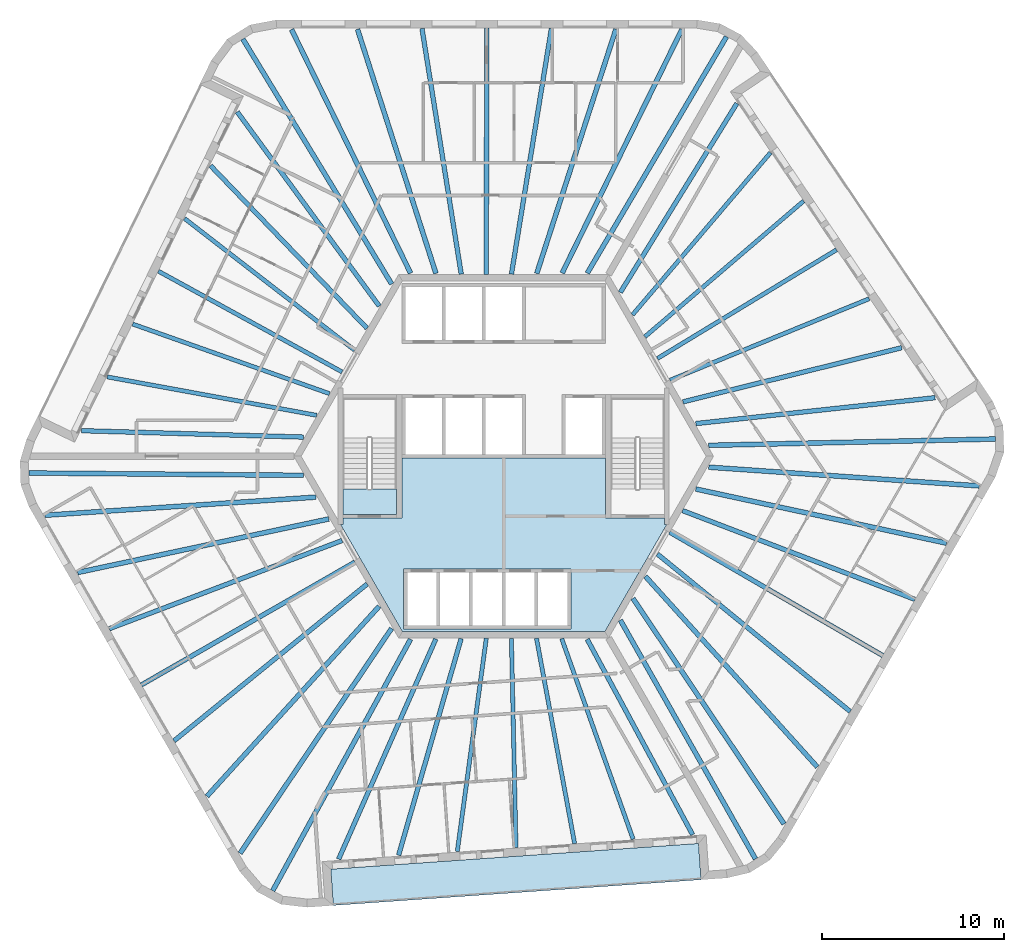
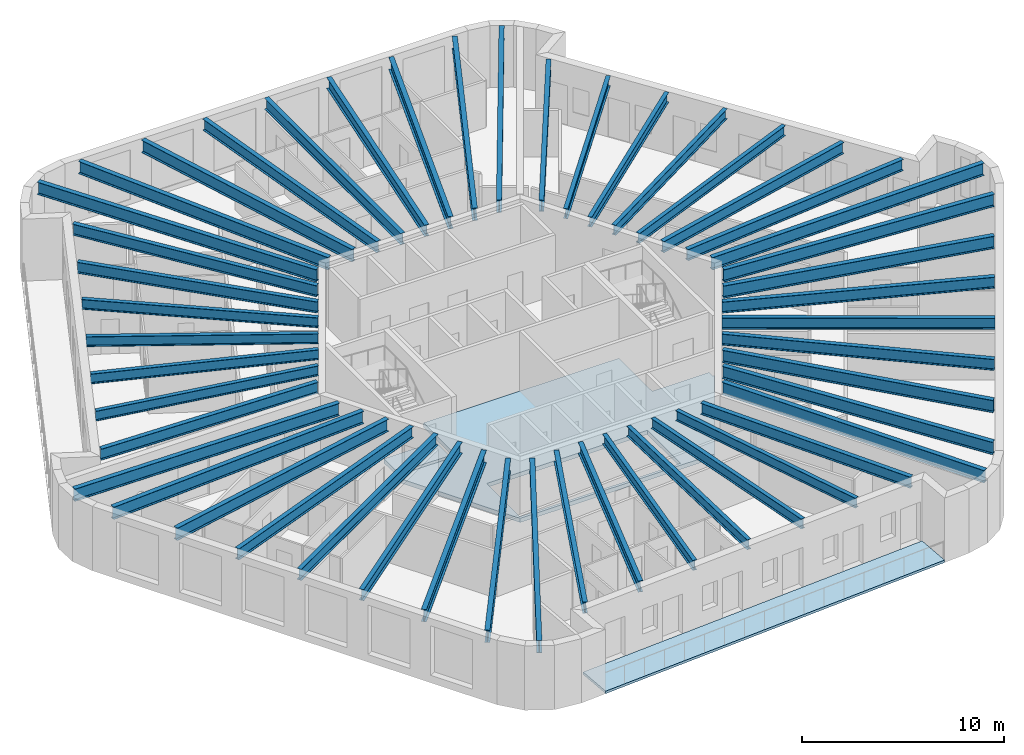
# One storey, part 1 of 11: 48 beams, 3 slabs.
"""IFC4 building model written with IfcOpenShell, lengths in metres."""

from ifc_helpers import new_model, si_unit, direction, frame, origin, origin_2d, place, context, subcontext, project, spatial, polyline, i_section, outline, extrude, material, layer, layer_set, material_profile, profile_set, type_object, element, save


model = new_model("IFC4")

# Units and contexts
model_context = context("Model", 3, precision=1e-05, world=origin(), true_north=direction((0.0, 1.0)))
body_context = subcontext(model_context, "Body", "Model", "MODEL_VIEW")
ifc_project = project(units=[si_unit("LENGTHUNIT", "METRE"), si_unit("AREAUNIT", "SQUARE_METRE"), si_unit("VOLUMEUNIT", "CUBIC_METRE"), si_unit("PLANEANGLEUNIT", "RADIAN"), si_unit("MASSUNIT", "GRAM", prefix="KILO")], contexts=[model_context])

# Site, building, storey
site_placement = place(None, origin())
site = spatial("IfcSite", under=ifc_project, at=site_placement, CompositionType="ELEMENT")
building_placement = place(site_placement, origin())
building = spatial("IfcBuilding", under=site, at=building_placement, Name="Tarnside Tower", CompositionType="ELEMENT")
storey_placement = place(building_placement, frame((0.0, 0.0, 365.10009765625)))
storey = spatial("IfcBuildingStorey", under=building, at=storey_placement, Name="L88", CompositionType="ELEMENT", Elevation=365.10009765625)

# Beams
ifc_material_1 = material(Name="Steel S355", Category="steel")
ifc_material_profile_1 = material_profile(ifc_material_1, i_section(OverallWidth=0.228271484375, OverallDepth=0.607666015625, WebThickness=0.010986328125, FlangeThickness=0.017333984375, FilletRadius=0.0126953125, at=origin_2d()), Name="UB 610x229x113")
ifc_profile_set_1 = profile_set([ifc_material_profile_1], Name="Steel S355")
beam_type_1 = type_object("IfcBeamType", Name="Floor beam UB 610x229x113", PredefinedType="BEAM", material=ifc_profile_set_1)
beam_1_placement = place(storey_placement, frame((-17.5537109375, 13.079345703125, 3.446044921875), z_axis=(0.790645071634, -0.612274750991, 0.0), x_axis=(0.612274750991, 0.790645071634, 0.0)))
element("IfcBeam", 1, at=beam_1_placement, inside=storey, type_object=beam_type_1, Name="Floor beam F2.03", PredefinedType="BEAM", context=body_context, shape_type="SweptSolid", body=[
    extrude(i_section(OverallWidth=0.228271484375, OverallDepth=0.607666015625, WebThickness=0.010986328125, FlangeThickness=0.017333984375, FilletRadius=0.0126953125, at=origin_2d()), origin(), (0.0, 0.0, 1.0), 11.829833984375),
])
beam_2_placement = place(storey_placement, frame((-18.98974609375, 10.1787109375, 3.446044921875), z_axis=(0.876798859106, -0.480857318412, 0.0), x_axis=(0.480857318412, 0.876798859106, 0.0)))
element("IfcBeam", 2, at=beam_2_placement, inside=storey, type_object=beam_type_1, Name="Floor beam F2.04", PredefinedType="BEAM", context=body_context, shape_type="SweptSolid", body=[
    extrude(i_section(OverallWidth=0.228271484375, OverallDepth=0.607666015625, WebThickness=0.010986328125, FlangeThickness=0.017333984375, FilletRadius=0.0126953125, at=origin_2d()), origin(), (0.0, 0.0, 1.0), 11.517578125),
])
beam_3_placement = place(storey_placement, frame((-20.408203125, 7.27099609375, 3.446044921875), z_axis=(0.942835979757, -0.33325713087, 0.0), x_axis=(0.33325713087, 0.942835979757, 0.0)))
element("IfcBeam", 3, at=beam_3_placement, inside=storey, type_object=beam_type_1, Name="Floor beam F2.05", PredefinedType="BEAM", context=body_context, shape_type="SweptSolid", body=[
    extrude(i_section(OverallWidth=0.228271484375, OverallDepth=0.607666015625, WebThickness=0.010986328125, FlangeThickness=0.017333984375, FilletRadius=0.0126953125, at=origin_2d()), origin(), (0.0, 0.0, 1.0), 11.4833984375),
])
beam_4_placement = place(storey_placement, frame((-21.80517578125, 4.3642578125, 3.446044921875), z_axis=(0.983583368825, -0.180454306048, 0.0), x_axis=(0.180454306048, 0.983583368825, 0.0)))
element("IfcBeam", 4, at=beam_4_placement, inside=storey, type_object=beam_type_1, Name="Floor beam F2.06", PredefinedType="BEAM", context=body_context, shape_type="SweptSolid", body=[
    extrude(i_section(OverallWidth=0.228271484375, OverallDepth=0.607666015625, WebThickness=0.010986328125, FlangeThickness=0.017333984375, FilletRadius=0.0126953125, at=origin_2d()), origin(), (0.0, 0.0, 1.0), 11.706787109375),
])
beam_5_placement = place(storey_placement, frame((-2.550048828125, -21.74169921875, 3.446044921875), z_axis=(0.134905991625, 0.990858402308, 0.0), x_axis=(-0.990858402308, 0.134905991625, 0.0)))
element("IfcBeam", 5, at=beam_5_placement, inside=storey, type_object=beam_type_1, Name="Floor beam F4.03", PredefinedType="BEAM", context=body_context, shape_type="SweptSolid", body=[
    extrude(i_section(OverallWidth=0.228271484375, OverallDepth=0.607666015625, WebThickness=0.010986328125, FlangeThickness=0.017333984375, FilletRadius=0.0126953125, at=origin_2d()), origin(), (0.0, 0.0, 1.0), 11.830078125),
])
beam_6_placement = place(storey_placement, frame((0.6796875, -21.53515625, 3.446044921875), z_axis=(-0.021959678074, 0.999758857195, 0.0), x_axis=(-0.999758857195, -0.021959678074, 0.0)))
element("IfcBeam", 6, at=beam_6_placement, inside=storey, type_object=beam_type_1, Name="Floor beam F4.04", PredefinedType="BEAM", context=body_context, shape_type="SweptSolid", body=[
    extrude(i_section(OverallWidth=0.228271484375, OverallDepth=0.607666015625, WebThickness=0.010986328125, FlangeThickness=0.017333984375, FilletRadius=0.0126953125, at=origin_2d()), origin(), (0.0, 0.0, 1.0), 11.517822265625),
])
beam_7_placement = place(storey_placement, frame((3.9072265625, -21.3095703125, 3.446044921875), z_axis=(-0.182818550439, 0.983146671466, 0.0), x_axis=(-0.983146671466, -0.182818550439, 0.0)))
element("IfcBeam", 7, at=beam_7_placement, inside=storey, type_object=beam_type_1, Name="Floor beam F4.05", PredefinedType="BEAM", context=body_context, shape_type="SweptSolid", body=[
    extrude(i_section(OverallWidth=0.228271484375, OverallDepth=0.607666015625, WebThickness=0.010986328125, FlangeThickness=0.017333984375, FilletRadius=0.0126953125, at=origin_2d()), origin(), (0.0, 0.0, 1.0), 11.4833984375),
])
beam_8_placement = place(storey_placement, frame((7.123046875, -21.06591796875, 3.446044921875), z_axis=(-0.335506617396, 0.94203784939, 0.0), x_axis=(-0.94203784939, -0.335506617396, 0.0)))
element("IfcBeam", 8, at=beam_8_placement, inside=storey, type_object=beam_type_1, Name="Floor beam F4.06", PredefinedType="BEAM", context=body_context, shape_type="SweptSolid", body=[
    extrude(i_section(OverallWidth=0.228271484375, OverallDepth=0.607666015625, WebThickness=0.010986328125, FlangeThickness=0.017333984375, FilletRadius=0.0126953125, at=origin_2d()), origin(), (0.0, 0.0, 1.0), 11.706787109375),
])
beam_9_placement = place(storey_placement, frame((20.10400390625, 8.662353515625, 3.446044921875), z_axis=(-0.925563720848, -0.378591862895, 0.0), x_axis=(0.378591862895, -0.925563720848, 0.0)))
element("IfcBeam", 9, at=beam_9_placement, inside=storey, type_object=beam_type_1, Name="Floor beam F6.03", PredefinedType="BEAM", context=body_context, shape_type="SweptSolid", body=[
    extrude(i_section(OverallWidth=0.228271484375, OverallDepth=0.607666015625, WebThickness=0.010986328125, FlangeThickness=0.017333984375, FilletRadius=0.0126953125, at=origin_2d()), origin(), (0.0, 0.0, 1.0), 11.830078125),
])
beam_10_placement = place(storey_placement, frame((18.31005859375, 11.356201171875, 3.446044921875), z_axis=(-0.854838892612, -0.518893503214, 0.0), x_axis=(0.518893503214, -0.854838892612, 0.0)))
element("IfcBeam", 10, at=beam_10_placement, inside=storey, type_object=beam_type_1, Name="Floor beam F6.04", PredefinedType="BEAM", context=body_context, shape_type="SweptSolid", body=[
    extrude(i_section(OverallWidth=0.228271484375, OverallDepth=0.607666015625, WebThickness=0.010986328125, FlangeThickness=0.017333984375, FilletRadius=0.0126953125, at=origin_2d()), origin(), (0.0, 0.0, 1.0), 11.517822265625),
])
beam_11_placement = place(storey_placement, frame((16.5009765625, 14.03857421875, 3.446044921875), z_axis=(-0.760013955451, -0.649906752942, 0.0), x_axis=(0.649906752942, -0.760013955451, 0.0)))
element("IfcBeam", 11, at=beam_11_placement, inside=storey, type_object=beam_type_1, Name="Floor beam F6.05", PredefinedType="BEAM", context=body_context, shape_type="SweptSolid", body=[
    extrude(i_section(OverallWidth=0.228271484375, OverallDepth=0.607666015625, WebThickness=0.010986328125, FlangeThickness=0.017333984375, FilletRadius=0.0126953125, at=origin_2d()), origin(), (0.0, 0.0, 1.0), 11.4833984375),
])
beam_12_placement = place(storey_placement, frame((14.68212890625, 16.70166015625, 3.446044921875), z_axis=(-0.648070250912, -0.761580560337, 0.0), x_axis=(0.761580560337, -0.648070250912, 0.0)))
element("IfcBeam", 12, at=beam_12_placement, inside=storey, type_object=beam_type_1, Name="Floor beam F6.06", PredefinedType="BEAM", context=body_context, shape_type="SweptSolid", body=[
    extrude(i_section(OverallWidth=0.228271484375, OverallDepth=0.607666015625, WebThickness=0.010986328125, FlangeThickness=0.017333984375, FilletRadius=0.0126953125, at=origin_2d()), origin(), (0.0, 0.0, 1.0), 11.70703125),
])
ifc_material_profile_2 = material_profile(ifc_material_1, i_section(OverallWidth=0.2529296875, OverallDepth=0.677978515625, WebThickness=0.01171875, FlangeThickness=0.01611328125, FilletRadius=0.01513671875, at=origin_2d()), Name="UB 686x254x125")
ifc_profile_set_2 = profile_set([ifc_material_profile_2], Name="Steel S355")
beam_type_2 = type_object("IfcBeamType", Name="Floor beam UB 686x254x125", PredefinedType="BEAM", material=ifc_profile_set_2)
beam_13_placement = place(storey_placement, frame((2.628662109375, 23.5302734375, 3.410888671875), z_axis=(-0.160646508519, -0.987012005652, 0.0), x_axis=(0.987012005652, -0.160646508519, 0.0)))
element("IfcBeam", 13, at=beam_13_placement, inside=storey, type_object=beam_type_2, Name="Floor beam F1.03", PredefinedType="BEAM", context=body_context, shape_type="SweptSolid", body=[
    extrude(i_section(OverallWidth=0.2529296875, OverallDepth=0.677978515625, WebThickness=0.01171875, FlangeThickness=0.01611328125, FilletRadius=0.01513671875, at=origin_2d()), origin(), (0.0, 0.0, 1.0), 13.688232421875),
])
beam_14_placement = place(storey_placement, frame((-0.931884765625, 23.550048828125, 3.410888671875), z_axis=(-0.001441413973, -0.999998961162, 0.0), x_axis=(0.999998961162, -0.001441413973, 0.0)))
element("IfcBeam", 14, at=beam_14_placement, inside=storey, type_object=beam_type_2, Name="Floor beam F1.04", PredefinedType="BEAM", context=body_context, shape_type="SweptSolid", body=[
    extrude(i_section(OverallWidth=0.2529296875, OverallDepth=0.677978515625, WebThickness=0.01171875, FlangeThickness=0.01611328125, FilletRadius=0.01513671875, at=origin_2d()), origin(), (0.0, 0.0, 1.0), 13.550048828125),
])
beam_15_placement = place(storey_placement, frame((-4.492431640625, 23.5302734375, 3.410888671875), z_axis=(0.157881934136, -0.987457996511, 0.0), x_axis=(0.987457996511, 0.157881934136, 0.0)))
element("IfcBeam", 15, at=beam_15_placement, inside=storey, type_object=beam_type_2, Name="Floor beam F1.05", PredefinedType="BEAM", context=body_context, shape_type="SweptSolid", body=[
    extrude(i_section(OverallWidth=0.2529296875, OverallDepth=0.677978515625, WebThickness=0.01171875, FlangeThickness=0.01611328125, FilletRadius=0.01513671875, at=origin_2d()), origin(), (0.0, 0.0, 1.0), 13.68212890625),
])
beam_16_placement = place(storey_placement, frame((-14.657470703125, 18.94580078125, 3.410888671875), z_axis=(0.590284711171, -0.807195118765, 0.0), x_axis=(0.807195118765, 0.590284711171, 0.0)))
element("IfcBeam", 16, at=beam_16_placement, inside=storey, type_object=beam_type_2, Name="Floor beam F2.01", PredefinedType="BEAM", context=body_context, shape_type="SweptSolid", body=[
    extrude(i_section(OverallWidth=0.2529296875, OverallDepth=0.677978515625, WebThickness=0.01171875, FlangeThickness=0.01611328125, FilletRadius=0.01513671875, at=origin_2d()), origin(), (0.0, 0.0, 1.0), 13.23974609375),
])
beam_17_placement = place(storey_placement, frame((-16.119873046875, 15.980224609375, 3.410888671875), z_axis=(0.693349119992, -0.720601830283, 0.0), x_axis=(0.720601830283, 0.693349119992, 0.0)))
element("IfcBeam", 17, at=beam_17_placement, inside=storey, type_object=beam_type_2, Name="Floor beam F2.02", PredefinedType="BEAM", context=body_context, shape_type="SweptSolid", body=[
    extrude(i_section(OverallWidth=0.2529296875, OverallDepth=0.677978515625, WebThickness=0.01171875, FlangeThickness=0.01611328125, FilletRadius=0.01513671875, at=origin_2d()), origin(), (0.0, 0.0, 1.0), 12.3984375),
])
beam_18_placement = place(storey_placement, frame((-23.22998046875, 1.406005859375, 3.410888671875), z_axis=(0.99958400974, -0.028841072664, 0.0), x_axis=(0.028841072664, 0.99958400974, 0.0)))
element("IfcBeam", 18, at=beam_18_placement, inside=storey, type_object=beam_type_2, Name="Floor beam F2.07", PredefinedType="BEAM", context=body_context, shape_type="SweptSolid", body=[
    extrude(i_section(OverallWidth=0.2529296875, OverallDepth=0.677978515625, WebThickness=0.01171875, FlangeThickness=0.01611328125, FilletRadius=0.01513671875, at=origin_2d()), origin(), (0.0, 0.0, 1.0), 12.215087890625),
])
beam_19_placement = place(storey_placement, frame((-21.692138671875, -9.48876953125, 3.410888671875), z_axis=(0.935097216102, 0.354391304124, 0.0), x_axis=(-0.354391304124, 0.935097216102, 0.0)))
element("IfcBeam", 19, at=beam_19_placement, inside=storey, type_object=beam_type_2, Name="Floor beam F3.03", PredefinedType="BEAM", context=body_context, shape_type="SweptSolid", body=[
    extrude(i_section(OverallWidth=0.2529296875, OverallDepth=0.677978515625, WebThickness=0.01171875, FlangeThickness=0.01611328125, FilletRadius=0.01513671875, at=origin_2d()), origin(), (0.0, 0.0, 1.0), 13.6884765625),
])
beam_20_placement = place(storey_placement, frame((-19.928955078125, -12.58203125, 3.410888671875), z_axis=(0.866745672107, 0.49875037833, 0.0), x_axis=(-0.49875037833, 0.866745672107, 0.0)))
element("IfcBeam", 20, at=beam_20_placement, inside=storey, type_object=beam_type_2, Name="Floor beam F3.04", PredefinedType="BEAM", context=body_context, shape_type="SweptSolid", body=[
    extrude(i_section(OverallWidth=0.2529296875, OverallDepth=0.677978515625, WebThickness=0.01171875, FlangeThickness=0.01611328125, FilletRadius=0.01513671875, at=origin_2d()), origin(), (0.0, 0.0, 1.0), 13.550048828125),
])
beam_21_placement = place(storey_placement, frame((-18.131591796875, -15.65576171875, 3.410888671875), z_axis=(0.77622369633, 0.630457590371, 0.0), x_axis=(-0.630457590371, 0.77622369633, 0.0)))
element("IfcBeam", 21, at=beam_21_placement, inside=storey, type_object=beam_type_2, Name="Floor beam F3.05", PredefinedType="BEAM", context=body_context, shape_type="SweptSolid", body=[
    extrude(i_section(OverallWidth=0.2529296875, OverallDepth=0.677978515625, WebThickness=0.01171875, FlangeThickness=0.01611328125, FilletRadius=0.01513671875, at=origin_2d()), origin(), (0.0, 0.0, 1.0), 13.68212890625),
])
beam_22_placement = place(storey_placement, frame((-9.078857421875, -22.16650390625, 3.410888671875), z_axis=(0.403913038749, 0.914797385834, 0.0), x_axis=(-0.914797385834, 0.403913038749, 0.0)))
element("IfcBeam", 22, at=beam_22_placement, inside=storey, type_object=beam_type_2, Name="Floor beam F4.01", PredefinedType="BEAM", context=body_context, shape_type="SweptSolid", body=[
    extrude(i_section(OverallWidth=0.2529296875, OverallDepth=0.677978515625, WebThickness=0.01171875, FlangeThickness=0.01611328125, FilletRadius=0.01513671875, at=origin_2d()), origin(), (0.0, 0.0, 1.0), 13.239501953125),
])
beam_23_placement = place(storey_placement, frame((-5.779296875, -21.9501953125, 3.410888671875), z_axis=(0.277391022539, 0.960757108022, 0.0), x_axis=(-0.960757108022, 0.277391022539, 0.0)))
element("IfcBeam", 23, at=beam_23_placement, inside=storey, type_object=beam_type_2, Name="Floor beam F4.02", PredefinedType="BEAM", context=body_context, shape_type="SweptSolid", body=[
    extrude(i_section(OverallWidth=0.2529296875, OverallDepth=0.677978515625, WebThickness=0.01171875, FlangeThickness=0.01611328125, FilletRadius=0.01513671875, at=origin_2d()), origin(), (0.0, 0.0, 1.0), 12.3984375),
])
beam_24_placement = place(storey_placement, frame((10.3974609375, -20.82080078125, 3.410888671875), z_axis=(-0.474802871876, 0.880092172933, 0.0), x_axis=(-0.880092172933, -0.474802871876, 0.0)))
element("IfcBeam", 24, at=beam_24_placement, inside=storey, type_object=beam_type_2, Name="Floor beam F4.07", PredefinedType="BEAM", context=body_context, shape_type="SweptSolid", body=[
    extrude(i_section(OverallWidth=0.2529296875, OverallDepth=0.677978515625, WebThickness=0.01171875, FlangeThickness=0.01611328125, FilletRadius=0.01513671875, at=origin_2d()), origin(), (0.0, 0.0, 1.0), 12.215087890625),
])
beam_25_placement = place(storey_placement, frame((19.0634765625, -14.04150390625, 3.410888671875), z_axis=(-0.774448963371, 0.632636390934, 0.0), x_axis=(-0.632636390934, -0.774448963371, 0.0)))
element("IfcBeam", 25, at=beam_25_placement, inside=storey, type_object=beam_type_2, Name="Floor beam F5.03", PredefinedType="BEAM", context=body_context, shape_type="SweptSolid", body=[
    extrude(i_section(OverallWidth=0.2529296875, OverallDepth=0.677978515625, WebThickness=0.01171875, FlangeThickness=0.01611328125, FilletRadius=0.01513671875, at=origin_2d()), origin(), (0.0, 0.0, 1.0), 13.688232421875),
])
beam_26_placement = place(storey_placement, frame((20.86083984375, -10.968017578125, 3.410888671875), z_axis=(-0.865300844595, 0.501252878639, 0.0), x_axis=(-0.501252878639, -0.865300844595, 0.0)))
element("IfcBeam", 26, at=beam_26_placement, inside=storey, type_object=beam_type_2, Name="Floor beam F5.04", PredefinedType="BEAM", context=body_context, shape_type="SweptSolid", body=[
    extrude(i_section(OverallWidth=0.2529296875, OverallDepth=0.677978515625, WebThickness=0.01171875, FlangeThickness=0.01611328125, FilletRadius=0.01513671875, at=origin_2d()), origin(), (0.0, 0.0, 1.0), 13.550048828125),
])
beam_27_placement = place(storey_placement, frame((22.6240234375, -7.87451171875, 3.410888671875), z_axis=(-0.934104171069, 0.357000556851, 0.0), x_axis=(-0.357000556851, -0.934104171069, 0.0)))
element("IfcBeam", 27, at=beam_27_placement, inside=storey, type_object=beam_type_2, Name="Floor beam F5.05", PredefinedType="BEAM", context=body_context, shape_type="SweptSolid", body=[
    extrude(i_section(OverallWidth=0.2529296875, OverallDepth=0.677978515625, WebThickness=0.01171875, FlangeThickness=0.01611328125, FilletRadius=0.01513671875, at=origin_2d()), origin(), (0.0, 0.0, 1.0), 13.68212890625),
])
beam_28_placement = place(storey_placement, frame((23.736083984375, 3.220703125, 3.410888671875), z_axis=(-0.994194525567, -0.107597608396, 0.0), x_axis=(0.107597608396, -0.994194525567, 0.0)))
element("IfcBeam", 28, at=beam_28_placement, inside=storey, type_object=beam_type_2, Name="Floor beam F6.01", PredefinedType="BEAM", context=body_context, shape_type="SweptSolid", body=[
    extrude(i_section(OverallWidth=0.2529296875, OverallDepth=0.677978515625, WebThickness=0.01171875, FlangeThickness=0.01611328125, FilletRadius=0.01513671875, at=origin_2d()), origin(), (0.0, 0.0, 1.0), 13.23974609375),
])
beam_29_placement = place(storey_placement, frame((21.899169921875, 5.969970703125, 3.410888671875), z_axis=(-0.970734945262, -0.240153421892, 0.0), x_axis=(0.240153421892, -0.970734945262, 0.0)))
element("IfcBeam", 29, at=beam_29_placement, inside=storey, type_object=beam_type_2, Name="Floor beam F6.02", PredefinedType="BEAM", context=body_context, shape_type="SweptSolid", body=[
    extrude(i_section(OverallWidth=0.2529296875, OverallDepth=0.677978515625, WebThickness=0.01171875, FlangeThickness=0.01611328125, FilletRadius=0.01513671875, at=origin_2d()), origin(), (0.0, 0.0, 1.0), 12.3984375),
])
beam_30_placement = place(storey_placement, frame((12.83251953125, 19.414794921875, 3.410888671875), z_axis=(-0.524775269126, -0.851240810179, 0.0), x_axis=(0.851240810179, -0.524775269126, 0.0)))
element("IfcBeam", 30, at=beam_30_placement, inside=storey, type_object=beam_type_2, Name="Floor beam F6.07", PredefinedType="BEAM", context=body_context, shape_type="SweptSolid", body=[
    extrude(i_section(OverallWidth=0.2529296875, OverallDepth=0.677978515625, WebThickness=0.01171875, FlangeThickness=0.01611328125, FilletRadius=0.01513671875, at=origin_2d()), origin(), (0.0, 0.0, 1.0), 12.215087890625),
])
ifc_material_profile_3 = material_profile(ifc_material_1, i_section(OverallWidth=0.26513671875, OverallDepth=0.75390625, WebThickness=0.0126953125, FlangeThickness=0.017578125, FilletRadius=0.0166015625, at=origin_2d()), Name="UB 762x267x147")
ifc_profile_set_3 = profile_set([ifc_material_profile_3], Name="Steel S355")
beam_type_3 = type_object("IfcBeamType", Name="Floor beam UB 762x267x147", PredefinedType="BEAM", material=ifc_profile_set_3)
beam_31_placement = place(storey_placement, frame((9.805419921875, 23.478271484375, 3.372802734375), z_axis=(-0.441038082116, -0.897488389966, 0.0), x_axis=(0.897488389966, -0.441038082116, 0.0)))
element("IfcBeam", 31, at=beam_31_placement, inside=storey, type_object=beam_type_3, Name="Floor beam F1.01", PredefinedType="BEAM", context=body_context, shape_type="SweptSolid", body=[
    extrude(i_section(OverallWidth=0.26513671875, OverallDepth=0.75390625, WebThickness=0.0126953125, FlangeThickness=0.017578125, FilletRadius=0.0166015625, at=origin_2d()), origin(), (0.0, 0.0, 1.0), 14.937744140625),
])
beam_32_placement = place(storey_placement, frame((6.177001953125, 23.492919921875, 3.372802734375), z_axis=(-0.308308550255, -0.951286412097, 0.0), x_axis=(0.951286412097, -0.308308550255, 0.0)))
element("IfcBeam", 32, at=beam_32_placement, inside=storey, type_object=beam_type_3, Name="Floor beam F1.02", PredefinedType="BEAM", context=body_context, shape_type="SweptSolid", body=[
    extrude(i_section(OverallWidth=0.26513671875, OverallDepth=0.75390625, WebThickness=0.0126953125, FlangeThickness=0.017578125, FilletRadius=0.0166015625, at=origin_2d()), origin(), (0.0, 0.0, 1.0), 14.123779296875),
])
beam_33_placement = place(storey_placement, frame((-8.041015625, 23.492919921875, 3.372802734375), z_axis=(0.305833892652, -0.952084885977, 0.0), x_axis=(0.952084885977, 0.305833892652, 0.0)))
element("IfcBeam", 33, at=beam_33_placement, inside=storey, type_object=beam_type_3, Name="Floor beam F1.06", PredefinedType="BEAM", context=body_context, shape_type="SweptSolid", body=[
    extrude(i_section(OverallWidth=0.26513671875, OverallDepth=0.75390625, WebThickness=0.0126953125, FlangeThickness=0.017578125, FilletRadius=0.0166015625, at=origin_2d()), origin(), (0.0, 0.0, 1.0), 14.112060546875),
])
beam_34_placement = place(storey_placement, frame((-11.66943359375, 23.47802734375, 3.372802734375), z_axis=(0.438980621391, -0.898496529789, 0.0), x_axis=(0.898496529789, 0.438980621391, 0.0)))
element("IfcBeam", 34, at=beam_34_placement, inside=storey, type_object=beam_type_3, Name="Floor beam F1.07", PredefinedType="BEAM", context=body_context, shape_type="SweptSolid", body=[
    extrude(i_section(OverallWidth=0.26513671875, OverallDepth=0.75390625, WebThickness=0.0126953125, FlangeThickness=0.017578125, FilletRadius=0.0166015625, at=origin_2d()), origin(), (0.0, 0.0, 1.0), 14.92041015625),
])
beam_35_placement = place(storey_placement, frame((-14.346435546875, 22.95361328125, 3.372802734375), z_axis=(0.519050027983, -0.854743861312, 0.0), x_axis=(0.854743861312, 0.519050027983, 0.0)))
element("IfcBeam", 35, at=beam_35_placement, inside=storey, type_object=beam_type_3, Name="Floor beam C1", PredefinedType="BEAM", context=body_context, shape_type="SweptSolid", body=[
    extrude(i_section(OverallWidth=0.26513671875, OverallDepth=0.75390625, WebThickness=0.0126953125, FlangeThickness=0.017578125, FilletRadius=0.0166015625, at=origin_2d()), origin(), (0.0, 0.0, 1.0), 15.77294921875),
])
beam_36_placement = place(storey_placement, frame((-26.115234375, -0.922607421875, 3.372802734375), z_axis=(0.99996409039, -0.008474546068, 0.0), x_axis=(0.008474546068, 0.99996409039, 0.0)))
element("IfcBeam", 36, at=beam_36_placement, inside=storey, type_object=beam_type_3, Name="Floor beam C2", PredefinedType="BEAM", context=body_context, shape_type="SweptSolid", body=[
    extrude(i_section(OverallWidth=0.26513671875, OverallDepth=0.75390625, WebThickness=0.0126953125, FlangeThickness=0.017578125, FilletRadius=0.0166015625, at=origin_2d()), origin(), (0.0, 0.0, 1.0), 15.095703125),
])
beam_37_placement = place(storey_placement, frame((-25.2353515625, -3.247314453125, 3.372802734375), z_axis=(0.997767622241, 0.066781524448, 0.0), x_axis=(-0.066781524448, 0.997767622241, 0.0)))
element("IfcBeam", 37, at=beam_37_placement, inside=storey, type_object=beam_type_3, Name="Floor beam F3.01", PredefinedType="BEAM", context=body_context, shape_type="SweptSolid", body=[
    extrude(i_section(OverallWidth=0.26513671875, OverallDepth=0.75390625, WebThickness=0.0126953125, FlangeThickness=0.017578125, FilletRadius=0.0166015625, at=origin_2d()), origin(), (0.0, 0.0, 1.0), 14.937744140625),
])
beam_38_placement = place(storey_placement, frame((-23.43408203125, -6.39697265625, 3.372802734375), z_axis=(0.977992742368, 0.208638912658, 0.0), x_axis=(-0.208638912658, 0.977992742368, 0.0)))
element("IfcBeam", 38, at=beam_38_placement, inside=storey, type_object=beam_type_3, Name="Floor beam F3.02", PredefinedType="BEAM", context=body_context, shape_type="SweptSolid", body=[
    extrude(i_section(OverallWidth=0.26513671875, OverallDepth=0.75390625, WebThickness=0.0126953125, FlangeThickness=0.017578125, FilletRadius=0.0166015625, at=origin_2d()), origin(), (0.0, 0.0, 1.0), 14.123779296875),
])
beam_39_placement = place(storey_placement, frame((-16.324951171875, -18.710205078125, 3.372802734375), z_axis=(0.671613814762, 0.740901399526, 0.0), x_axis=(-0.740901399526, 0.671613814762, 0.0)))
element("IfcBeam", 39, at=beam_39_placement, inside=storey, type_object=beam_type_3, Name="Floor beam F3.06", PredefinedType="BEAM", context=body_context, shape_type="SweptSolid", body=[
    extrude(i_section(OverallWidth=0.26513671875, OverallDepth=0.75390625, WebThickness=0.0126953125, FlangeThickness=0.017578125, FilletRadius=0.0166015625, at=origin_2d()), origin(), (0.0, 0.0, 1.0), 14.112060546875),
])
beam_40_placement = place(storey_placement, frame((-14.497802734375, -21.84521484375, 3.372802734375), z_axis=(0.558632311738, 0.829415420813, 0.0), x_axis=(-0.829415420813, 0.558632311738, 0.0)))
element("IfcBeam", 40, at=beam_40_placement, inside=storey, type_object=beam_type_3, Name="Floor beam F3.07", PredefinedType="BEAM", context=body_context, shape_type="SweptSolid", body=[
    extrude(i_section(OverallWidth=0.26513671875, OverallDepth=0.75390625, WebThickness=0.0126953125, FlangeThickness=0.017578125, FilletRadius=0.0166015625, at=origin_2d()), origin(), (0.0, 0.0, 1.0), 14.920654296875),
])
beam_41_placement = place(storey_placement, frame((-12.705322265625, -23.9013671875, 3.372802734375), z_axis=(0.480710922029, 0.876879130463, 0.0), x_axis=(-0.876879130463, 0.480710922029, 0.0)))
element("IfcBeam", 41, at=beam_41_placement, inside=storey, type_object=beam_type_3, Name="Floor beam C3", PredefinedType="BEAM", context=body_context, shape_type="SweptSolid", body=[
    extrude(i_section(OverallWidth=0.26513671875, OverallDepth=0.75390625, WebThickness=0.0126953125, FlangeThickness=0.017578125, FilletRadius=0.0166015625, at=origin_2d()), origin(), (0.0, 0.0, 1.0), 15.77294921875),
])
beam_42_placement = place(storey_placement, frame((13.856689453125, -22.155029296875, 3.372802734375), z_axis=(-0.492642822233, 0.870231606931, 0.0), x_axis=(-0.870231606931, -0.492642822233, 0.0)))
element("IfcBeam", 42, at=beam_42_placement, inside=storey, type_object=beam_type_3, Name="Floor beam C4", PredefinedType="BEAM", context=body_context, shape_type="SweptSolid", body=[
    extrude(i_section(OverallWidth=0.26513671875, OverallDepth=0.75390625, WebThickness=0.0126953125, FlangeThickness=0.017578125, FilletRadius=0.0166015625, at=origin_2d()), origin(), (0.0, 0.0, 1.0), 15.095703125),
])
beam_43_placement = place(storey_placement, frame((15.429931640625, -20.23095703125, 3.372802734375), z_axis=(-0.556705108381, 0.830710191524, 0.0), x_axis=(-0.830710191524, -0.556705108381, 0.0)))
element("IfcBeam", 43, at=beam_43_placement, inside=storey, type_object=beam_type_3, Name="Floor beam F5.01", PredefinedType="BEAM", context=body_context, shape_type="SweptSolid", body=[
    extrude(i_section(OverallWidth=0.26513671875, OverallDepth=0.75390625, WebThickness=0.0126953125, FlangeThickness=0.017578125, FilletRadius=0.0166015625, at=origin_2d()), origin(), (0.0, 0.0, 1.0), 14.937744140625),
])
beam_44_placement = place(storey_placement, frame((17.257080078125, -17.095947265625, 3.372802734375), z_axis=(-0.669693076209, 0.742637989654, 0.0), x_axis=(-0.742637989654, -0.669693076209, 0.0)))
element("IfcBeam", 44, at=beam_44_placement, inside=storey, type_object=beam_type_3, Name="Floor beam F5.02", PredefinedType="BEAM", context=body_context, shape_type="SweptSolid", body=[
    extrude(i_section(OverallWidth=0.26513671875, OverallDepth=0.75390625, WebThickness=0.0126953125, FlangeThickness=0.017578125, FilletRadius=0.0166015625, at=origin_2d()), origin(), (0.0, 0.0, 1.0), 14.1240234375),
])
beam_45_placement = place(storey_placement, frame((24.365966796875, -4.78271484375, 3.372802734375), z_axis=(-0.977446315909, 0.211184041811, 0.0), x_axis=(-0.211184041811, -0.977446315909, 0.0)))
element("IfcBeam", 45, at=beam_45_placement, inside=storey, type_object=beam_type_3, Name="Floor beam F5.06", PredefinedType="BEAM", context=body_context, shape_type="SweptSolid", body=[
    extrude(i_section(OverallWidth=0.26513671875, OverallDepth=0.75390625, WebThickness=0.0126953125, FlangeThickness=0.017578125, FilletRadius=0.0166015625, at=origin_2d()), origin(), (0.0, 0.0, 1.0), 14.112060546875),
])
beam_46_placement = place(storey_placement, frame((26.16748046875, -1.633056640625, 3.372802734375), z_axis=(-0.99760979709, 0.069099151587, 0.0), x_axis=(-0.069099151587, -0.99760979709, 0.0)))
element("IfcBeam", 46, at=beam_46_placement, inside=storey, type_object=beam_type_3, Name="Floor beam F5.07", PredefinedType="BEAM", context=body_context, shape_type="SweptSolid", body=[
    extrude(i_section(OverallWidth=0.26513671875, OverallDepth=0.75390625, WebThickness=0.0126953125, FlangeThickness=0.017578125, FilletRadius=0.0166015625, at=origin_2d()), origin(), (0.0, 0.0, 1.0), 14.920654296875),
])
beam_47_placement = place(storey_placement, frame((27.0517578125, 0.947509765625, 3.372802734375), z_axis=(-0.999755015591, -0.022133883549, 0.0), x_axis=(0.022133883549, -0.999755015591, 0.0)))
element("IfcBeam", 47, at=beam_47_placement, inside=storey, type_object=beam_type_3, Name="Floor beam C5", PredefinedType="BEAM", context=body_context, shape_type="SweptSolid", body=[
    extrude(i_section(OverallWidth=0.26513671875, OverallDepth=0.75390625, WebThickness=0.0126953125, FlangeThickness=0.017578125, FilletRadius=0.0166015625, at=origin_2d()), origin(), (0.0, 0.0, 1.0), 15.773193359375),
])
beam_48_placement = place(storey_placement, frame((12.258544921875, 23.07763671875, 3.372802734375), z_axis=(-0.507326131491, -0.861754139129, 0.0), x_axis=(0.861754139129, -0.507326131491, 0.0)))
element("IfcBeam", 48, at=beam_48_placement, inside=storey, type_object=beam_type_3, Name="Floor beam C6", PredefinedType="BEAM", context=body_context, shape_type="SweptSolid", body=[
    extrude(i_section(OverallWidth=0.26513671875, OverallDepth=0.75390625, WebThickness=0.0126953125, FlangeThickness=0.017578125, FilletRadius=0.0166015625, at=origin_2d()), origin(), (0.0, 0.0, 1.0), 15.095703125),
])

# Slabs
ifc_material_2 = material(Name="Concrete C40/50", Category="concrete")
ifc_layer_1 = layer(ifc_material_2, 0.25)
ifc_layer_set_1 = layer_set([ifc_layer_1], Name="Core slab C40/50")
slab_type_1 = type_object("IfcSlabType", Name="Core slab C40/50", PredefinedType="FLOOR", material=ifc_layer_set_1)
slab_1_placement = place(storey_placement, frame((0.0, 0.0, -0.25)))
element("IfcSlab", 49, at=slab_1_placement, inside=storey, type_object=slab_type_1, Name="L88 core floor slab 3", PredefinedType="FLOOR", context=body_context, shape_type="SweptSolid", body=[
    extrude(outline(polyline([(-8.85009765625, -3.7548828125), (-8.85009765625, -3.39990234375), (-5.89990234375, -3.39990234375), (-5.60009765625, -3.39990234375), (-5.60009765625, -0.10009765625), (5.60009765625, -0.10009765625), (5.60009765625, -3.39990234375), (5.89990234375, -3.39990234375), (8.85009765625, -3.39990234375), (8.85009765625, -3.7548828125), (8.97509765625, -3.7548828125), (5.5712890625, -9.64990234375), (-5.5712890625, -9.64990234375), (-8.97509765625, -3.7548828125), (-8.85009765625, -3.7548828125)]), holes=[polyline([(-5.5, -9.5), (3.699951171875, -9.5), (3.699951171875, -9.300048828125), (3.699951171875, -6.39990234375), (3.699951171875, -6.199951171875), (-5.5, -6.199951171875), (-5.5, -6.39990234375), (-5.5, -9.300048828125), (-5.5, -9.5)])]), origin(), (0.0, 0.0, 1.0), 0.25),
])
slab_2_placement = place(storey_placement, frame((0.0, 0.0, -0.25)))
element("IfcSlab", 50, at=slab_2_placement, inside=storey, type_object=slab_type_1, Name="L88 core floor slab 5", PredefinedType="FLOOR", context=body_context, shape_type="SweptSolid", body=[
    extrude(outline(polyline([(-8.85009765625, -3.199951171875), (-8.85009765625, -1.800048828125), (-5.89990234375, -1.800048828125), (-5.89990234375, -3.199951171875), (-8.85009765625, -3.199951171875)])), origin(), (0.0, 0.0, 1.0), 0.25),
])
ifc_material_3 = material(Name="Timber decking", Category="wood")
ifc_layer_2 = layer(ifc_material_3, 0.0400390625)
ifc_material_4 = material(Name="Concrete C60/75 precast", Category="concrete")
ifc_layer_3 = layer(ifc_material_4, 0.110107421875)
ifc_layer_set_2 = layer_set([ifc_layer_2, ifc_layer_3], Name="Loggia deck 150")
slab_type_2 = type_object("IfcSlabType", Name="Loggia deck 150", PredefinedType="FLOOR", material=ifc_layer_set_2)
slab_3_placement = place(storey_placement, frame((0.0, 0.0, -0.150146484375)))
element("IfcSlab", 51, at=slab_3_placement, inside=storey, type_object=slab_type_2, Name="Loggia deck L88 F4", PredefinedType="FLOOR", context=body_context, shape_type="SweptSolid", body=[
    extrude(outline(polyline([(-9.5107421875, -22.71875), (10.721435546875, -21.303955078125), (10.86083984375, -23.299072265625), (-9.371337890625, -24.7138671875), (-9.5107421875, -22.71875)])), origin(), (0.0, 0.0, 1.0), 0.150146484375),
])

save(model, "model.ifc")
